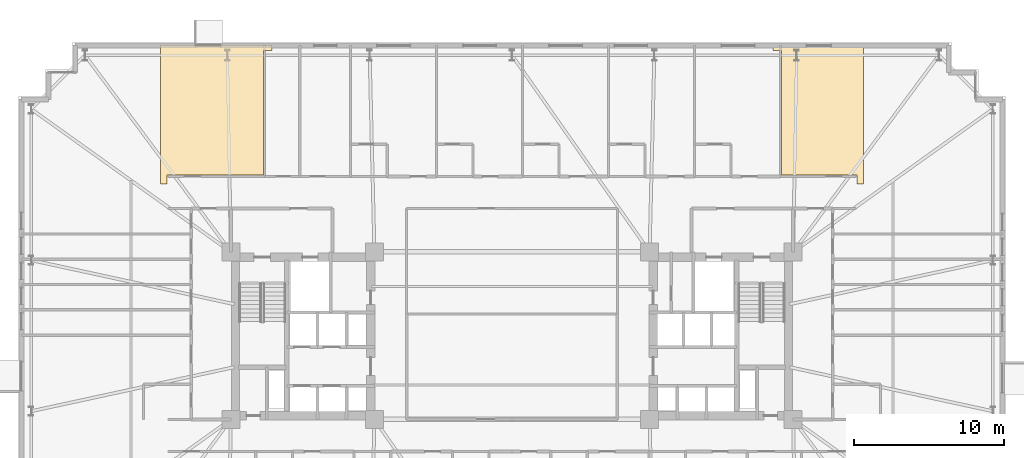
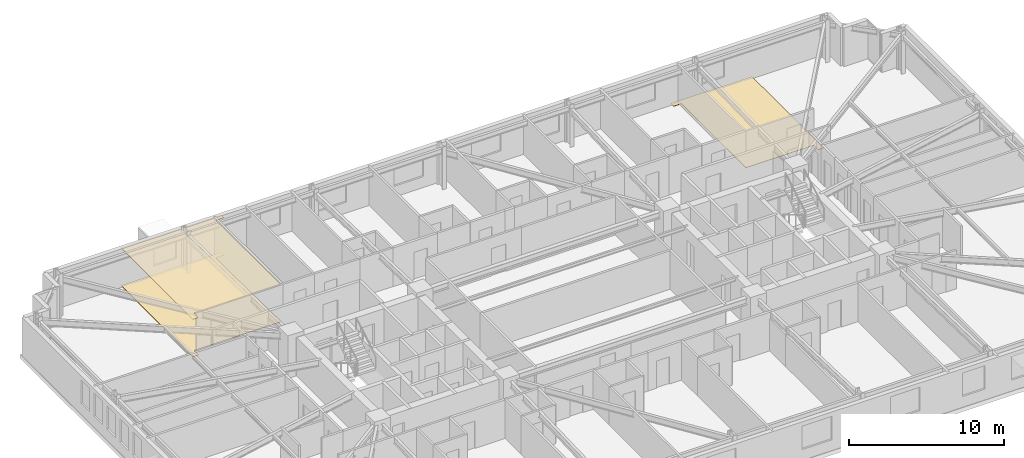
# One storey, part 22 of 22: 3 coverings.
"""IFC4 building model written with IfcOpenShell, lengths in metres."""

from ifc_helpers import new_model, si_unit, direction, frame, origin, place, context, subcontext, project, spatial, polyline, outline, extrude, material, layer, layer_set, type_object, element, save


model = new_model("IFC4")

# Units and contexts
model_context = context("Model", 3, precision=1e-05, world=origin(), true_north=direction((0.0, 1.0)))
body_context = subcontext(model_context, "Body", "Model", "MODEL_VIEW")
ifc_project = project(units=[si_unit("LENGTHUNIT", "METRE"), si_unit("AREAUNIT", "SQUARE_METRE"), si_unit("VOLUMEUNIT", "CUBIC_METRE"), si_unit("PLANEANGLEUNIT", "RADIAN"), si_unit("MASSUNIT", "GRAM", prefix="KILO")], contexts=[model_context])

# Site, building, storey
site_placement = place(None, origin())
site = spatial("IfcSite", under=ifc_project, at=site_placement, CompositionType="ELEMENT")
building_placement = place(site_placement, origin())
building = spatial("IfcBuilding", under=site, at=building_placement, Name="Qobustan Lattice House", CompositionType="ELEMENT")
storey_placement = place(building_placement, frame((0.0, 0.0, 53.800048828125)))
storey = spatial("IfcBuildingStorey", under=building, at=storey_placement, Name="L14", CompositionType="ELEMENT", Elevation=53.800048828125)

# Coverings
ifc_material_1 = material(Name="Perforated gypsum acoustic ceiling", Category="gypsum")
ifc_layer_1 = layer(ifc_material_1, 0.030029296875)
ifc_layer_set_1 = layer_set([ifc_layer_1], Name="Perforated gypsum acoustic ceiling")
covering_type_1 = type_object("IfcCoveringType", Name="COV-ACOUSTIC-CEIL", PredefinedType="CEILING", material=ifc_layer_set_1)
covering_1_placement = place(storey_placement, frame((0.0, 0.0, 2.945068359375)))
element("IfcCovering", 1, at=covering_1_placement, inside=storey, type_object=covering_type_1, Name="L14 Focus study room N1 acoustic ceiling", PredefinedType="CEILING", context=body_context, shape_type="SweptSolid", body=[
    extrude(outline(polyline([(-16.050048828125, 19.429931640625), (-23.5, 19.429931640625), (-23.5, 10.14990234375), (-23.080078125, 10.14990234375), (-23.080078125, 10.72998046875), (-16.6298828125, 10.72998046875), (-16.6298828125, 19.06005859375), (-16.050048828125, 19.06005859375), (-16.050048828125, 19.429931640625)])), origin(), (0.0, 0.0, 1.0), 0.02978515625),
])
ifc_material_2 = material(Name="Honed Absheron stone terrazzo flooring", Category="masonry")
ifc_layer_2 = layer(ifc_material_2, 0.02490234375)
ifc_layer_set_2 = layer_set([ifc_layer_2], Name="Honed Absheron stone terrazzo flooring")
covering_type_2 = type_object("IfcCoveringType", Name="COV-TERRAZZO-FLR", PredefinedType="FLOORING", material=ifc_layer_set_2)
covering_2_placement = place(storey_placement, origin())
element("IfcCovering", 2, at=covering_2_placement, inside=storey, type_object=covering_type_2, Name="L14 Focus study room N1 stone terrazzo flooring", PredefinedType="FLOORING", context=body_context, shape_type="SweptSolid", body=[
    extrude(outline(polyline([(-16.050048828125, 19.429931640625), (-23.5, 19.429931640625), (-23.5, 10.14990234375), (-23.080078125, 10.14990234375), (-23.080078125, 10.72998046875), (-16.6298828125, 10.72998046875), (-16.6298828125, 19.06005859375), (-16.050048828125, 19.06005859375), (-16.050048828125, 19.429931640625)])), origin(), (0.0, 0.0, 1.0), 0.02490234375),
])
covering_3_placement = place(storey_placement, origin())
element("IfcCovering", 3, at=covering_3_placement, inside=storey, type_object=covering_type_2, Name="L14 Focus study room N8 stone terrazzo flooring", PredefinedType="FLOORING", context=body_context, shape_type="SweptSolid", body=[
    extrude(outline(polyline([(17.449951171875, 19.429931640625), (17.449951171875, 19.06005859375), (18.030029296875, 19.06005859375), (18.030029296875, 10.72998046875), (23.080078125, 10.72998046875), (23.080078125, 10.14990234375), (23.5, 10.14990234375), (23.5, 19.429931640625), (17.449951171875, 19.429931640625)])), origin(), (0.0, 0.0, 1.0), 0.02490234375),
])

save(model, "model.ifc")
